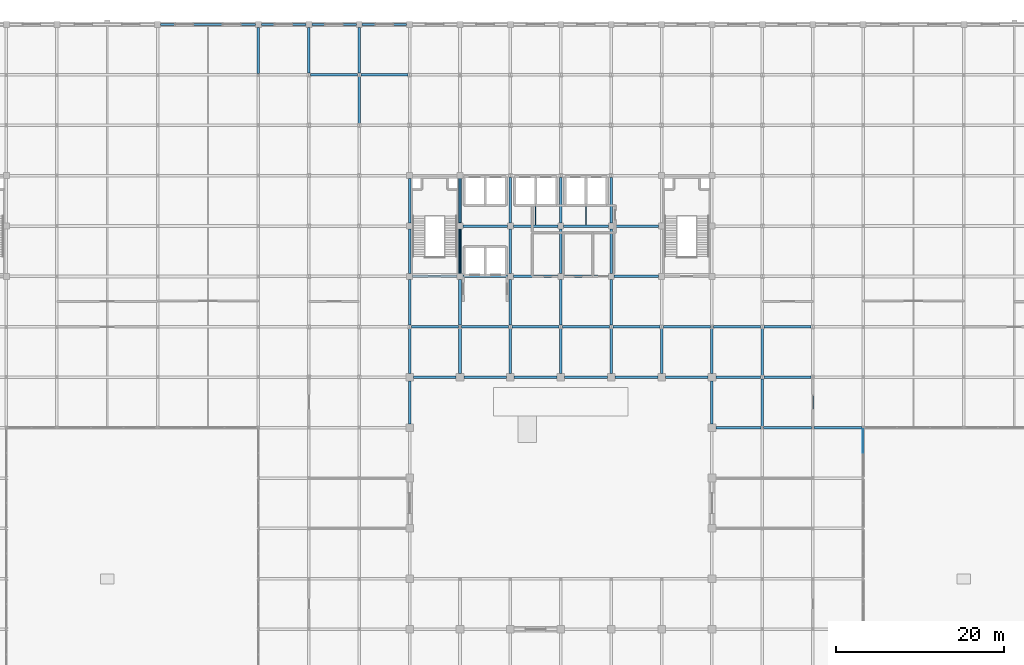
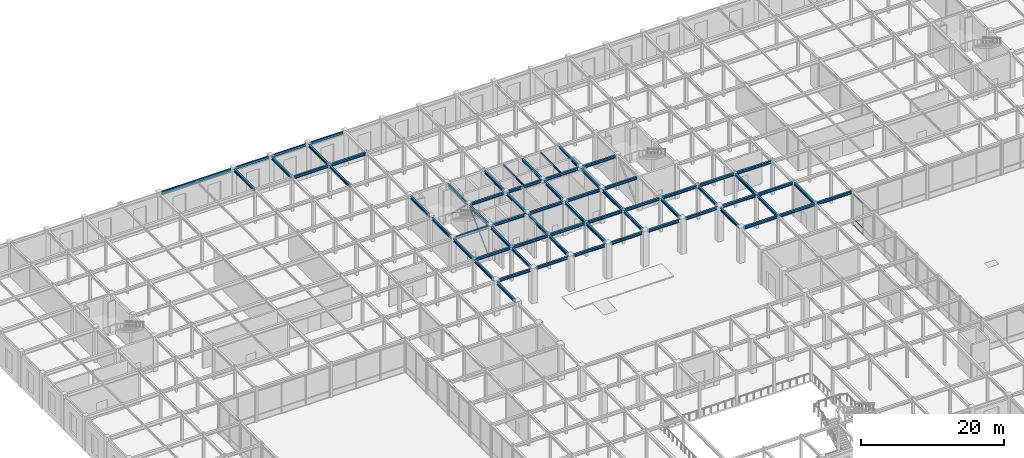
# One storey, part 76 of 108: 67 beams, 5 members, 1 element without a shape of its own.
"""IFC4 building model written with IfcOpenShell, lengths in metres."""

from ifc_helpers import new_model, si_unit, direction, frame, origin, origin_2d, place, context, subcontext, project, spatial, hollow_rectangle, hollow_circle, i_section, extrude, material, layer, layer_set, material_profile, profile_set, type_object, element, aggregate, save


model = new_model("IFC4")

# Units and contexts
model_context = context("Model", 3, precision=1e-05, world=origin(), true_north=direction((0.0, 1.0)))
body_context = subcontext(model_context, "Body", "Model", "MODEL_VIEW")
ifc_project = project(units=[si_unit("LENGTHUNIT", "METRE"), si_unit("AREAUNIT", "SQUARE_METRE"), si_unit("VOLUMEUNIT", "CUBIC_METRE"), si_unit("PLANEANGLEUNIT", "RADIAN"), si_unit("MASSUNIT", "GRAM", prefix="KILO")], contexts=[model_context])

# Site, building, storey
site_placement = place(None, origin())
site = spatial("IfcSite", under=ifc_project, at=site_placement, CompositionType="ELEMENT")
building_placement = place(site_placement, origin())
building = spatial("IfcBuilding", under=site, at=building_placement, Name="Zlatovratsky Civic Hall", CompositionType="ELEMENT")
storey_placement = place(building_placement, frame((0.0, 0.0, 6.0)))
storey = spatial("IfcBuildingStorey", under=building, at=storey_placement, Name="L02", CompositionType="ELEMENT", Elevation=6.0)

# Beams
ifc_material_1 = material(Name="Steel S355", Category="steel")
ifc_material_profile_1 = material_profile(ifc_material_1, i_section(OverallWidth=0.198974609375, OverallDepth=0.491943359375, WebThickness=0.0087890625, FlangeThickness=0.011962890625, FilletRadius=0.01611328125, at=origin_2d()), Name="50B1")
ifc_profile_set_1 = profile_set([ifc_material_profile_1], Name="Steel S355")
beam_type_1 = type_object("IfcBeamType", Name="Beam_Spandrel_50B1", PredefinedType="SPANDREL", material=ifc_profile_set_1)
for number, where, z_axis, x_axis, name in (
    (1, (48.35009765625, 114.0, 5.513916015625), (1.0, 0.0, 0.0), (0.0, 1.0, 0.0), "BM-2040"),
    (2, (54.35009765625, 114.0, 5.513916015625), (1.0, 0.0, 0.0), (0.0, 1.0, 0.0), "BM-2041"),
    (3, (60.35009765625, 114.0, 5.513916015625), (1.0, 0.0, 0.0), (0.0, 1.0, 0.0), "BM-2042"),
):
    element("IfcBeam", number, at=place(storey_placement, frame(where, z_axis=z_axis, x_axis=x_axis)), inside=storey, type_object=beam_type_1, Name=name, PredefinedType="SPANDREL", context=body_context, shape_type="SweptSolid", body=[
        extrude(i_section(OverallWidth=0.198974609375, OverallDepth=0.491943359375, WebThickness=0.0087890625, FlangeThickness=0.011962890625, FilletRadius=0.01611328125, at=origin_2d()), origin(), (0.0, 0.0, 1.0), 5.2998046875),
    ])
ifc_material_profile_2 = material_profile(ifc_material_1, i_section(OverallWidth=0.198974609375, OverallDepth=0.593017578125, WebThickness=0.010498046875, FlangeThickness=0.014892578125, FilletRadius=0.01806640625, at=origin_2d()), Name="60B1")
ifc_profile_set_2 = profile_set([ifc_material_profile_2], Name="Steel S355")
beam_type_2 = type_object("IfcBeamType", Name="Beam_Spandrel_60B1", PredefinedType="SPANDREL", material=ifc_profile_set_2)
beam_1_placement = place(storey_placement, frame((36.35009765625, 114.0, 5.46337890625), z_axis=(1.0, 0.0, 0.0), x_axis=(0.0, 1.0, 0.0)))
element("IfcBeam", 4, at=beam_1_placement, inside=storey, type_object=beam_type_2, Name="BM-2039", PredefinedType="SPANDREL", context=body_context, shape_type="SweptSolid", body=[
    extrude(i_section(OverallWidth=0.198974609375, OverallDepth=0.593017578125, WebThickness=0.010498046875, FlangeThickness=0.014892578125, FilletRadius=0.01806640625, at=origin_2d()), origin(), (0.0, 0.0, 1.0), 11.2998046875),
])
ifc_material_profile_3 = material_profile(ifc_material_1, i_section(OverallWidth=0.300048828125, OverallDepth=0.43994140625, WebThickness=0.010986328125, FlangeThickness=0.01806640625, FilletRadius=0.02197265625, at=origin_2d()), Name="45Sh1")
ifc_profile_set_3 = profile_set([ifc_material_profile_3], Name="Steel S355")
beam_type_3 = type_object("IfcBeamType", Name="Beam_TowerLow_45Sh1", PredefinedType="BEAM", material=ifc_profile_set_3)
beam_2_placement = place(storey_placement, frame((102.449951171875, 66.0, 5.5400390625), z_axis=(1.0, 0.0, 0.0), x_axis=(0.0, 1.0, 0.0)))
element("IfcBeam", 5, at=beam_2_placement, inside=storey, type_object=beam_type_3, Name="BM-1877", PredefinedType="BEAM", context=body_context, shape_type="SweptSolid", body=[
    extrude(i_section(OverallWidth=0.300048828125, OverallDepth=0.43994140625, WebThickness=0.010986328125, FlangeThickness=0.01806640625, FilletRadius=0.02197265625, at=origin_2d()), origin(), (0.0, 0.0, 1.0), 5.400146484375),
])
for number, where, z_axis, x_axis, name in (
    (6, (108.14990234375, 66.0, 5.5400390625), (1.0, 0.0, 0.0), (0.0, 1.0, 0.0), "BM-1878"),
    (7, (114.14990234375, 66.0, 5.5400390625), (1.0, 0.0, 0.0), (0.0, 1.0, 0.0), "BM-1879"),
):
    element("IfcBeam", number, at=place(storey_placement, frame(where, z_axis=z_axis, x_axis=x_axis)), inside=storey, type_object=beam_type_3, Name=name, PredefinedType="BEAM", context=body_context, shape_type="SweptSolid", body=[
        extrude(i_section(OverallWidth=0.300048828125, OverallDepth=0.43994140625, WebThickness=0.010986328125, FlangeThickness=0.01806640625, FilletRadius=0.02197265625, at=origin_2d()), origin(), (0.0, 0.0, 1.0), 5.7001953125),
    ])
for number, where, z_axis, x_axis, name in (
    (8, (66.449951171875, 72.0, 5.5400390625), (1.0, 0.0, 0.0), (0.0, 1.0, 0.0), "BM-1893"),
    (9, (72.449951171875, 72.0, 5.5400390625), (1.0, 0.0, 0.0), (0.0, 1.0, 0.0), "BM-1894"),
    (10, (78.449951171875, 72.0, 5.5400390625), (1.0, 0.0, 0.0), (0.0, 1.0, 0.0), "BM-1895"),
    (11, (84.449951171875, 72.0, 5.5400390625), (1.0, 0.0, 0.0), (0.0, 1.0, 0.0), "BM-1896"),
    (12, (90.449951171875, 72.0, 5.5400390625), (1.0, 0.0, 0.0), (0.0, 1.0, 0.0), "BM-1897"),
    (13, (96.449951171875, 72.0, 5.5400390625), (1.0, 0.0, 0.0), (0.0, 1.0, 0.0), "BM-1898"),
):
    element("IfcBeam", number, at=place(storey_placement, frame(where, z_axis=z_axis, x_axis=x_axis)), inside=storey, type_object=beam_type_3, Name=name, PredefinedType="BEAM", context=body_context, shape_type="SweptSolid", body=[
        extrude(i_section(OverallWidth=0.300048828125, OverallDepth=0.43994140625, WebThickness=0.010986328125, FlangeThickness=0.01806640625, FilletRadius=0.02197265625, at=origin_2d()), origin(), (0.0, 0.0, 1.0), 5.10009765625),
    ])
beam_3_placement = place(storey_placement, frame((102.449951171875, 72.0, 5.5400390625), z_axis=(1.0, 0.0, 0.0), x_axis=(0.0, 1.0, 0.0)))
element("IfcBeam", 14, at=beam_3_placement, inside=storey, type_object=beam_type_3, Name="BM-1899", PredefinedType="BEAM", context=body_context, shape_type="SweptSolid", body=[
    extrude(i_section(OverallWidth=0.300048828125, OverallDepth=0.43994140625, WebThickness=0.010986328125, FlangeThickness=0.01806640625, FilletRadius=0.02197265625, at=origin_2d()), origin(), (0.0, 0.0, 1.0), 5.34765625),
])
for number, where, z_axis, x_axis, name in (
    (15, (108.202392578125, 72.0, 5.5400390625), (1.0, 0.0, 0.0), (0.0, 1.0, 0.0), "BM-1900"),
    (16, (66.202392578125, 78.0, 5.5400390625), (1.0, 0.0, 0.0), (0.0, 1.0, 0.0), "BM-1915"),
    (17, (72.202392578125, 78.0, 5.5400390625), (1.0, 0.0, 0.0), (0.0, 1.0, 0.0), "BM-1916"),
    (18, (78.202392578125, 78.0, 5.5400390625), (1.0, 0.0, 0.0), (0.0, 1.0, 0.0), "BM-1917"),
    (19, (84.202392578125, 78.0, 5.5400390625), (1.0, 0.0, 0.0), (0.0, 1.0, 0.0), "BM-1918"),
    (20, (90.202392578125, 78.0, 5.5400390625), (1.0, 0.0, 0.0), (0.0, 1.0, 0.0), "BM-1919"),
    (21, (96.202392578125, 78.0, 5.5400390625), (1.0, 0.0, 0.0), (0.0, 1.0, 0.0), "BM-1920"),
    (22, (102.202392578125, 78.0, 5.5400390625), (1.0, 0.0, 0.0), (0.0, 1.0, 0.0), "BM-1921"),
    (23, (108.202392578125, 78.0, 5.5400390625), (1.0, 0.0, 0.0), (0.0, 1.0, 0.0), "BM-1922"),
):
    element("IfcBeam", number, at=place(storey_placement, frame(where, z_axis=z_axis, x_axis=x_axis)), inside=storey, type_object=beam_type_3, Name=name, PredefinedType="BEAM", context=body_context, shape_type="SweptSolid", body=[
        extrude(i_section(OverallWidth=0.300048828125, OverallDepth=0.43994140625, WebThickness=0.010986328125, FlangeThickness=0.01806640625, FilletRadius=0.02197265625, at=origin_2d()), origin(), (0.0, 0.0, 1.0), 5.59521484375),
    ])
for number, where, z_axis, x_axis, name in (
    (24, (66.35009765625, 84.0, 5.5400390625), (1.0, 0.0, 0.0), (0.0, 1.0, 0.0), "BM-1937"),
    (25, (72.35009765625, 84.0, 5.5400390625), (1.0, 0.0, 0.0), (0.0, 1.0, 0.0), "BM-1938"),
    (26, (78.35009765625, 84.0, 5.5400390625), (1.0, 0.0, 0.0), (0.0, 1.0, 0.0), "BM-1939"),
    (27, (84.35009765625, 84.0, 5.5400390625), (1.0, 0.0, 0.0), (0.0, 1.0, 0.0), "BM-1940"),
    (28, (90.35009765625, 84.0, 5.5400390625), (1.0, 0.0, 0.0), (0.0, 1.0, 0.0), "BM-1941"),
    (29, (72.35009765625, 90.0, 5.5400390625), (1.0, 0.0, 0.0), (0.0, 1.0, 0.0), "BM-1958"),
    (30, (78.35009765625, 90.0, 5.5400390625), (1.0, 0.0, 0.0), (0.0, 1.0, 0.0), "BM-1959"),
    (31, (84.35009765625, 90.0, 5.5400390625), (1.0, 0.0, 0.0), (0.0, 1.0, 0.0), "BM-1960"),
    (32, (90.35009765625, 90.0, 5.5400390625), (1.0, 0.0, 0.0), (0.0, 1.0, 0.0), "BM-1961"),
):
    element("IfcBeam", number, at=place(storey_placement, frame(where, z_axis=z_axis, x_axis=x_axis)), inside=storey, type_object=beam_type_3, Name=name, PredefinedType="BEAM", context=body_context, shape_type="SweptSolid", body=[
        extrude(i_section(OverallWidth=0.300048828125, OverallDepth=0.43994140625, WebThickness=0.010986328125, FlangeThickness=0.01806640625, FilletRadius=0.02197265625, at=origin_2d()), origin(), (0.0, 0.0, 1.0), 5.2998046875),
    ])
for number, where, z_axis, x_axis, name in (
    (33, (54.202392578125, 108.0, 5.5400390625), (1.0, 0.0, 0.0), (0.0, 1.0, 0.0), "BM-2019"),
    (34, (60.202392578125, 108.0, 5.5400390625), (1.0, 0.0, 0.0), (0.0, 1.0, 0.0), "BM-2020"),
):
    element("IfcBeam", number, at=place(storey_placement, frame(where, z_axis=z_axis, x_axis=x_axis)), inside=storey, type_object=beam_type_3, Name=name, PredefinedType="BEAM", context=body_context, shape_type="SweptSolid", body=[
        extrude(i_section(OverallWidth=0.300048828125, OverallDepth=0.43994140625, WebThickness=0.010986328125, FlangeThickness=0.01806640625, FilletRadius=0.02197265625, at=origin_2d()), origin(), (0.0, 0.0, 1.0), 5.59521484375),
    ])
beam_4_placement = place(storey_placement, frame((48.0, 108.14990234375, 5.5400390625), z_axis=(0.0, 1.0, 0.0), x_axis=(-1.0, 0.0, 0.0)))
element("IfcBeam", 35, at=beam_4_placement, inside=storey, type_object=beam_type_3, Name="BM-2146", PredefinedType="BEAM", context=body_context, shape_type="SweptSolid", body=[
    extrude(i_section(OverallWidth=0.300048828125, OverallDepth=0.43994140625, WebThickness=0.010986328125, FlangeThickness=0.01806640625, FilletRadius=0.02197265625, at=origin_2d()), origin(), (0.0, 0.0, 1.0), 5.5),
])
beam_5_placement = place(storey_placement, frame((54.0, 108.208984375, 5.5400390625), z_axis=(0.0, 1.0, 0.0), x_axis=(-1.0, 0.0, 0.0)))
element("IfcBeam", 36, at=beam_5_placement, inside=storey, type_object=beam_type_3, Name="BM-2163", PredefinedType="BEAM", context=body_context, shape_type="SweptSolid", body=[
    extrude(i_section(OverallWidth=0.300048828125, OverallDepth=0.43994140625, WebThickness=0.010986328125, FlangeThickness=0.01806640625, FilletRadius=0.02197265625, at=origin_2d()), origin(), (0.0, 0.0, 1.0), 5.44091796875),
])
beam_6_placement = place(storey_placement, frame((60.0, 102.208984375, 5.5400390625), z_axis=(0.0, 1.0, 0.0), x_axis=(-1.0, 0.0, 0.0)))
element("IfcBeam", 37, at=beam_6_placement, inside=storey, type_object=beam_type_3, Name="BM-2178", PredefinedType="BEAM", context=body_context, shape_type="SweptSolid", body=[
    extrude(i_section(OverallWidth=0.300048828125, OverallDepth=0.43994140625, WebThickness=0.010986328125, FlangeThickness=0.01806640625, FilletRadius=0.02197265625, at=origin_2d()), origin(), (0.0, 0.0, 1.0), 5.58203125),
])
beam_7_placement = place(storey_placement, frame((60.0, 108.208984375, 5.5400390625), z_axis=(0.0, 1.0, 0.0), x_axis=(-1.0, 0.0, 0.0)))
element("IfcBeam", 38, at=beam_7_placement, inside=storey, type_object=beam_type_3, Name="BM-2179", PredefinedType="BEAM", context=body_context, shape_type="SweptSolid", body=[
    extrude(i_section(OverallWidth=0.300048828125, OverallDepth=0.43994140625, WebThickness=0.010986328125, FlangeThickness=0.01806640625, FilletRadius=0.02197265625, at=origin_2d()), origin(), (0.0, 0.0, 1.0), 5.44091796875),
])
beam_8_placement = place(storey_placement, frame((66.0, 66.449951171875, 5.5400390625), z_axis=(0.0, 1.0, 0.0), x_axis=(-1.0, 0.0, 0.0)))
element("IfcBeam", 39, at=beam_8_placement, inside=storey, type_object=beam_type_3, Name="BM-2188", PredefinedType="BEAM", context=body_context, shape_type="SweptSolid", body=[
    extrude(i_section(OverallWidth=0.300048828125, OverallDepth=0.43994140625, WebThickness=0.010986328125, FlangeThickness=0.01806640625, FilletRadius=0.02197265625, at=origin_2d()), origin(), (0.0, 0.0, 1.0), 5.10009765625),
])
beam_9_placement = place(storey_placement, frame((66.0, 72.449951171875, 5.5400390625), z_axis=(0.0, 1.0, 0.0), x_axis=(-1.0, 0.0, 0.0)))
element("IfcBeam", 40, at=beam_9_placement, inside=storey, type_object=beam_type_3, Name="BM-2189", PredefinedType="BEAM", context=body_context, shape_type="SweptSolid", body=[
    extrude(i_section(OverallWidth=0.300048828125, OverallDepth=0.43994140625, WebThickness=0.010986328125, FlangeThickness=0.01806640625, FilletRadius=0.02197265625, at=origin_2d()), origin(), (0.0, 0.0, 1.0), 5.341064453125),
])
beam_10_placement = place(storey_placement, frame((66.0, 78.208984375, 5.5400390625), z_axis=(0.0, 1.0, 0.0), x_axis=(-1.0, 0.0, 0.0)))
element("IfcBeam", 41, at=beam_10_placement, inside=storey, type_object=beam_type_3, Name="BM-2190", PredefinedType="BEAM", context=body_context, shape_type="SweptSolid", body=[
    extrude(i_section(OverallWidth=0.300048828125, OverallDepth=0.43994140625, WebThickness=0.010986328125, FlangeThickness=0.01806640625, FilletRadius=0.02197265625, at=origin_2d()), origin(), (0.0, 0.0, 1.0), 5.44091796875),
])
for number, where, z_axis, x_axis, name in (
    (42, (66.0, 84.35009765625, 5.5400390625), (0.0, 1.0, 0.0), (-1.0, 0.0, 0.0), "BM-2191"),
    (43, (66.0, 90.35009765625, 5.5400390625), (0.0, 1.0, 0.0), (-1.0, 0.0, 0.0), "BM-2192"),
):
    element("IfcBeam", number, at=place(storey_placement, frame(where, z_axis=z_axis, x_axis=x_axis)), inside=storey, type_object=beam_type_3, Name=name, PredefinedType="BEAM", context=body_context, shape_type="SweptSolid", body=[
        extrude(i_section(OverallWidth=0.300048828125, OverallDepth=0.43994140625, WebThickness=0.010986328125, FlangeThickness=0.01806640625, FilletRadius=0.02197265625, at=origin_2d()), origin(), (0.0, 0.0, 1.0), 5.2998046875),
    ])
beam_11_placement = place(storey_placement, frame((72.0, 72.449951171875, 5.5400390625), z_axis=(0.0, 1.0, 0.0), x_axis=(-1.0, 0.0, 0.0)))
element("IfcBeam", 44, at=beam_11_placement, inside=storey, type_object=beam_type_3, Name="BM-2201", PredefinedType="BEAM", context=body_context, shape_type="SweptSolid", body=[
    extrude(i_section(OverallWidth=0.300048828125, OverallDepth=0.43994140625, WebThickness=0.010986328125, FlangeThickness=0.01806640625, FilletRadius=0.02197265625, at=origin_2d()), origin(), (0.0, 0.0, 1.0), 5.341064453125),
])
beam_12_placement = place(storey_placement, frame((72.0, 78.208984375, 5.5400390625), z_axis=(0.0, 1.0, 0.0), x_axis=(-1.0, 0.0, 0.0)))
element("IfcBeam", 45, at=beam_12_placement, inside=storey, type_object=beam_type_3, Name="BM-2202", PredefinedType="BEAM", context=body_context, shape_type="SweptSolid", body=[
    extrude(i_section(OverallWidth=0.300048828125, OverallDepth=0.43994140625, WebThickness=0.010986328125, FlangeThickness=0.01806640625, FilletRadius=0.02197265625, at=origin_2d()), origin(), (0.0, 0.0, 1.0), 5.44091796875),
])
for number, where, z_axis, x_axis, name in (
    (46, (72.0, 84.35009765625, 5.5400390625), (0.0, 1.0, 0.0), (-1.0, 0.0, 0.0), "BM-2203"),
    (47, (72.0, 90.35009765625, 5.5400390625), (0.0, 1.0, 0.0), (-1.0, 0.0, 0.0), "BM-2204"),
):
    element("IfcBeam", number, at=place(storey_placement, frame(where, z_axis=z_axis, x_axis=x_axis)), inside=storey, type_object=beam_type_3, Name=name, PredefinedType="BEAM", context=body_context, shape_type="SweptSolid", body=[
        extrude(i_section(OverallWidth=0.300048828125, OverallDepth=0.43994140625, WebThickness=0.010986328125, FlangeThickness=0.01806640625, FilletRadius=0.02197265625, at=origin_2d()), origin(), (0.0, 0.0, 1.0), 5.2998046875),
    ])
beam_13_placement = place(storey_placement, frame((78.0, 72.449951171875, 5.5400390625), z_axis=(0.0, 1.0, 0.0), x_axis=(-1.0, 0.0, 0.0)))
element("IfcBeam", 48, at=beam_13_placement, inside=storey, type_object=beam_type_3, Name="BM-2211", PredefinedType="BEAM", context=body_context, shape_type="SweptSolid", body=[
    extrude(i_section(OverallWidth=0.300048828125, OverallDepth=0.43994140625, WebThickness=0.010986328125, FlangeThickness=0.01806640625, FilletRadius=0.02197265625, at=origin_2d()), origin(), (0.0, 0.0, 1.0), 5.341064453125),
])
beam_14_placement = place(storey_placement, frame((78.0, 78.208984375, 5.5400390625), z_axis=(0.0, 1.0, 0.0), x_axis=(-1.0, 0.0, 0.0)))
element("IfcBeam", 49, at=beam_14_placement, inside=storey, type_object=beam_type_3, Name="BM-2212", PredefinedType="BEAM", context=body_context, shape_type="SweptSolid", body=[
    extrude(i_section(OverallWidth=0.300048828125, OverallDepth=0.43994140625, WebThickness=0.010986328125, FlangeThickness=0.01806640625, FilletRadius=0.02197265625, at=origin_2d()), origin(), (0.0, 0.0, 1.0), 5.44091796875),
])
beam_15_placement = place(storey_placement, frame((78.0, 84.35009765625, 5.5400390625), z_axis=(0.0, 1.0, 0.0), x_axis=(-1.0, 0.0, 0.0)))
element("IfcBeam", 50, at=beam_15_placement, inside=storey, type_object=beam_type_3, Name="BM-2213", PredefinedType="BEAM", context=body_context, shape_type="SweptSolid", body=[
    extrude(i_section(OverallWidth=0.300048828125, OverallDepth=0.43994140625, WebThickness=0.010986328125, FlangeThickness=0.01806640625, FilletRadius=0.02197265625, at=origin_2d()), origin(), (0.0, 0.0, 1.0), 5.2998046875),
])
beam_16_placement = place(storey_placement, frame((78.0, 90.35009765625, 5.5400390625), z_axis=(0.0, 1.0, 0.0), x_axis=(-1.0, 0.0, 0.0)))
element("IfcBeam", 51, at=beam_16_placement, inside=storey, type_object=beam_type_3, Name="BM-2214", PredefinedType="BEAM", context=body_context, shape_type="SweptSolid", body=[
    extrude(i_section(OverallWidth=0.300048828125, OverallDepth=0.43994140625, WebThickness=0.010986328125, FlangeThickness=0.01806640625, FilletRadius=0.02197265625, at=origin_2d()), origin(), (0.0, 0.0, 1.0), 5.44091796875),
])
beam_17_placement = place(storey_placement, frame((84.0, 72.449951171875, 5.5400390625), z_axis=(0.0, 1.0, 0.0), x_axis=(-1.0, 0.0, 0.0)))
element("IfcBeam", 52, at=beam_17_placement, inside=storey, type_object=beam_type_3, Name="BM-2221", PredefinedType="BEAM", context=body_context, shape_type="SweptSolid", body=[
    extrude(i_section(OverallWidth=0.300048828125, OverallDepth=0.43994140625, WebThickness=0.010986328125, FlangeThickness=0.01806640625, FilletRadius=0.02197265625, at=origin_2d()), origin(), (0.0, 0.0, 1.0), 5.341064453125),
])
beam_18_placement = place(storey_placement, frame((84.0, 78.208984375, 5.5400390625), z_axis=(0.0, 1.0, 0.0), x_axis=(-1.0, 0.0, 0.0)))
element("IfcBeam", 53, at=beam_18_placement, inside=storey, type_object=beam_type_3, Name="BM-2222", PredefinedType="BEAM", context=body_context, shape_type="SweptSolid", body=[
    extrude(i_section(OverallWidth=0.300048828125, OverallDepth=0.43994140625, WebThickness=0.010986328125, FlangeThickness=0.01806640625, FilletRadius=0.02197265625, at=origin_2d()), origin(), (0.0, 0.0, 1.0), 5.44091796875),
])
beam_19_placement = place(storey_placement, frame((84.0, 84.35009765625, 5.5400390625), z_axis=(0.0, 1.0, 0.0), x_axis=(-1.0, 0.0, 0.0)))
element("IfcBeam", 54, at=beam_19_placement, inside=storey, type_object=beam_type_3, Name="BM-2223", PredefinedType="BEAM", context=body_context, shape_type="SweptSolid", body=[
    extrude(i_section(OverallWidth=0.300048828125, OverallDepth=0.43994140625, WebThickness=0.010986328125, FlangeThickness=0.01806640625, FilletRadius=0.02197265625, at=origin_2d()), origin(), (0.0, 0.0, 1.0), 5.2998046875),
])
beam_20_placement = place(storey_placement, frame((84.0, 90.35009765625, 5.5400390625), z_axis=(0.0, 1.0, 0.0), x_axis=(-1.0, 0.0, 0.0)))
element("IfcBeam", 55, at=beam_20_placement, inside=storey, type_object=beam_type_3, Name="BM-2224", PredefinedType="BEAM", context=body_context, shape_type="SweptSolid", body=[
    extrude(i_section(OverallWidth=0.300048828125, OverallDepth=0.43994140625, WebThickness=0.010986328125, FlangeThickness=0.01806640625, FilletRadius=0.02197265625, at=origin_2d()), origin(), (0.0, 0.0, 1.0), 5.44091796875),
])
beam_21_placement = place(storey_placement, frame((90.0, 72.449951171875, 5.5400390625), z_axis=(0.0, 1.0, 0.0), x_axis=(-1.0, 0.0, 0.0)))
element("IfcBeam", 56, at=beam_21_placement, inside=storey, type_object=beam_type_3, Name="BM-2231", PredefinedType="BEAM", context=body_context, shape_type="SweptSolid", body=[
    extrude(i_section(OverallWidth=0.300048828125, OverallDepth=0.43994140625, WebThickness=0.010986328125, FlangeThickness=0.01806640625, FilletRadius=0.02197265625, at=origin_2d()), origin(), (0.0, 0.0, 1.0), 5.341064453125),
])
beam_22_placement = place(storey_placement, frame((90.0, 78.208984375, 5.5400390625), z_axis=(0.0, 1.0, 0.0), x_axis=(-1.0, 0.0, 0.0)))
element("IfcBeam", 57, at=beam_22_placement, inside=storey, type_object=beam_type_3, Name="BM-2232", PredefinedType="BEAM", context=body_context, shape_type="SweptSolid", body=[
    extrude(i_section(OverallWidth=0.300048828125, OverallDepth=0.43994140625, WebThickness=0.010986328125, FlangeThickness=0.01806640625, FilletRadius=0.02197265625, at=origin_2d()), origin(), (0.0, 0.0, 1.0), 5.44091796875),
])
beam_23_placement = place(storey_placement, frame((90.0, 84.35009765625, 5.5400390625), z_axis=(0.0, 1.0, 0.0), x_axis=(-1.0, 0.0, 0.0)))
element("IfcBeam", 58, at=beam_23_placement, inside=storey, type_object=beam_type_3, Name="BM-2233", PredefinedType="BEAM", context=body_context, shape_type="SweptSolid", body=[
    extrude(i_section(OverallWidth=0.300048828125, OverallDepth=0.43994140625, WebThickness=0.010986328125, FlangeThickness=0.01806640625, FilletRadius=0.02197265625, at=origin_2d()), origin(), (0.0, 0.0, 1.0), 5.2998046875),
])
beam_24_placement = place(storey_placement, frame((90.0, 90.35009765625, 5.5400390625), z_axis=(0.0, 1.0, 0.0), x_axis=(-1.0, 0.0, 0.0)))
element("IfcBeam", 59, at=beam_24_placement, inside=storey, type_object=beam_type_3, Name="BM-2234", PredefinedType="BEAM", context=body_context, shape_type="SweptSolid", body=[
    extrude(i_section(OverallWidth=0.300048828125, OverallDepth=0.43994140625, WebThickness=0.010986328125, FlangeThickness=0.01806640625, FilletRadius=0.02197265625, at=origin_2d()), origin(), (0.0, 0.0, 1.0), 5.44091796875),
])
beam_25_placement = place(storey_placement, frame((96.0, 72.449951171875, 5.5400390625), z_axis=(0.0, 1.0, 0.0), x_axis=(-1.0, 0.0, 0.0)))
element("IfcBeam", 60, at=beam_25_placement, inside=storey, type_object=beam_type_3, Name="BM-2243", PredefinedType="BEAM", context=body_context, shape_type="SweptSolid", body=[
    extrude(i_section(OverallWidth=0.300048828125, OverallDepth=0.43994140625, WebThickness=0.010986328125, FlangeThickness=0.01806640625, FilletRadius=0.02197265625, at=origin_2d()), origin(), (0.0, 0.0, 1.0), 5.341064453125),
])
beam_26_placement = place(storey_placement, frame((102.0, 66.449951171875, 5.5400390625), z_axis=(0.0, 1.0, 0.0), x_axis=(-1.0, 0.0, 0.0)))
element("IfcBeam", 61, at=beam_26_placement, inside=storey, type_object=beam_type_3, Name="BM-2258", PredefinedType="BEAM", context=body_context, shape_type="SweptSolid", body=[
    extrude(i_section(OverallWidth=0.300048828125, OverallDepth=0.43994140625, WebThickness=0.010986328125, FlangeThickness=0.01806640625, FilletRadius=0.02197265625, at=origin_2d()), origin(), (0.0, 0.0, 1.0), 5.10009765625),
])
beam_27_placement = place(storey_placement, frame((102.0, 72.449951171875, 5.5400390625), z_axis=(0.0, 1.0, 0.0), x_axis=(-1.0, 0.0, 0.0)))
element("IfcBeam", 62, at=beam_27_placement, inside=storey, type_object=beam_type_3, Name="BM-2259", PredefinedType="BEAM", context=body_context, shape_type="SweptSolid", body=[
    extrude(i_section(OverallWidth=0.300048828125, OverallDepth=0.43994140625, WebThickness=0.010986328125, FlangeThickness=0.01806640625, FilletRadius=0.02197265625, at=origin_2d()), origin(), (0.0, 0.0, 1.0), 5.341064453125),
])
beam_28_placement = place(storey_placement, frame((108.0, 66.14990234375, 5.5400390625), z_axis=(0.0, 1.0, 0.0), x_axis=(-1.0, 0.0, 0.0)))
element("IfcBeam", 63, at=beam_28_placement, inside=storey, type_object=beam_type_3, Name="BM-2274", PredefinedType="BEAM", context=body_context, shape_type="SweptSolid", body=[
    extrude(i_section(OverallWidth=0.300048828125, OverallDepth=0.43994140625, WebThickness=0.010986328125, FlangeThickness=0.01806640625, FilletRadius=0.02197265625, at=origin_2d()), origin(), (0.0, 0.0, 1.0), 5.64111328125),
])
beam_29_placement = place(storey_placement, frame((108.0, 72.208984375, 5.5400390625), z_axis=(0.0, 1.0, 0.0), x_axis=(-1.0, 0.0, 0.0)))
element("IfcBeam", 64, at=beam_29_placement, inside=storey, type_object=beam_type_3, Name="BM-2275", PredefinedType="BEAM", context=body_context, shape_type="SweptSolid", body=[
    extrude(i_section(OverallWidth=0.300048828125, OverallDepth=0.43994140625, WebThickness=0.010986328125, FlangeThickness=0.01806640625, FilletRadius=0.02197265625, at=origin_2d()), origin(), (0.0, 0.0, 1.0), 5.58203125),
])
beam_30_placement = place(storey_placement, frame((114.0, 66.14990234375, 5.5400390625), z_axis=(0.0, 1.0, 0.0), x_axis=(-1.0, 0.0, 0.0)))
element("IfcBeam", 65, at=beam_30_placement, inside=storey, type_object=beam_type_3, Name="BM-2291", PredefinedType="BEAM", context=body_context, shape_type="SweptSolid", body=[
    extrude(i_section(OverallWidth=0.300048828125, OverallDepth=0.43994140625, WebThickness=0.010986328125, FlangeThickness=0.01806640625, FilletRadius=0.02197265625, at=origin_2d()), origin(), (0.0, 0.0, 1.0), 5.64111328125),
])

# Members
ifc_material_profile_4 = material_profile(ifc_material_1, hollow_circle(Radius=0.109619140625, WallThickness=0.008056640625, at=origin_2d()), Name="CHS 219x8")
ifc_profile_set_4 = profile_set([ifc_material_profile_4], Name="Steel S355")
member_type_1 = type_object("IfcMemberType", Name="Brace_AtriumStrut_CHS219", PredefinedType="BRACE", material=ifc_profile_set_4)
member_1_placement = place(storey_placement, frame((72.0, 84.35009765625, 0.25), z_axis=(0.0, 0.713799145226, 0.700350469604), x_axis=(-1.0, 0.0, 0.0)))
element("IfcMember", 66, at=member_1_placement, inside=storey, type_object=member_type_1, Name="MB-0100", PredefinedType="BRACE", context=body_context, shape_type="SweptSolid", body=[
    extrude(hollow_circle(Radius=0.109619140625, WallThickness=0.008056640625, at=origin_2d()), origin(), (0.0, 0.0, 1.0), 7.4248046875),
])
ifc_material_profile_5 = material_profile(ifc_material_1, hollow_rectangle(XDim=0.219970703125, YDim=0.219970703125, WallThickness=0.010009765625, at=origin_2d()), Name="SHS 220x220x10")
ifc_profile_set_5 = profile_set([ifc_material_profile_5], Name="Steel S355")
member_type_2 = type_object("IfcMemberType", Name="Brace_Podium_SHS220", PredefinedType="BRACE", material=ifc_profile_set_5)
member_2_placement = place(storey_placement, frame((72.0, 90.35009765625, 5.449951171875), z_axis=(0.0, 0.713799145226, -0.700350469604), x_axis=(-1.0, 0.0, 0.0)))
element("IfcMember", 67, at=member_2_placement, inside=storey, type_object=member_type_2, Name="MB-0101", PredefinedType="BRACE", context=body_context, shape_type="SweptSolid", body=[
    extrude(hollow_rectangle(XDim=0.219970703125, YDim=0.219970703125, WallThickness=0.010009765625, at=origin_2d()), origin(), (0.0, 0.0, 1.0), 7.4248046875),
])

# Curtain wall, members
ifc_material_2 = material(Name="Anodised bronze aluminium", Category="aluminium")
ifc_layer = layer(ifc_material_2, 0.159912109375)
ifc_layer_set = layer_set([ifc_layer], Name="Anodised bronze aluminium")
curtain_wall_type = type_object("IfcCurtainWallType", Name="CurtainWall_Bronze_5700x5310_06", PredefinedType="NOTDEFINED", material=ifc_layer_set)
curtain_wall_placement = place(storey_placement, origin())
curtain_wall = element("IfcCurtainWall", 68, at=curtain_wall_placement, inside=storey, type_object=curtain_wall_type, Name="CW-038", PredefinedType="NOTDEFINED")
ifc_material_profile_6 = material_profile(ifc_material_2, hollow_rectangle(XDim=0.06005859375, YDim=0.1201171875, WallThickness=0.00390625, at=origin_2d()), Name="ALU 60x120x4")
ifc_profile_set_6 = profile_set([ifc_material_profile_6], Name="Anodised bronze aluminium")
member_type_3 = type_object("IfcMemberType", Name="CW_Transom_60x120", PredefinedType="USERDEFINED", material=ifc_profile_set_6)
member_3_placement = place(storey_placement, frame((120.0, 63.030029296875, 0.030029296875), z_axis=(0.0, 1.0, 0.0), x_axis=(-1.0, 0.0, 0.0)))
member_3 = element("IfcMember", 69, at=member_3_placement, type_object=member_type_3, Name="CW-06 transom 2.1", ObjectType="TRANSOM", PredefinedType="USERDEFINED", context=body_context, shape_type="SweptSolid", body=[
    extrude(hollow_rectangle(XDim=0.06005859375, YDim=0.1201171875, WallThickness=0.00390625, at=origin_2d()), origin(), (0.0, 0.0, 1.0), 2.760009765625),
])
member_4_placement = place(storey_placement, frame((120.0, 63.030029296875, 1.10009765625), z_axis=(0.0, 1.0, 0.0), x_axis=(-1.0, 0.0, 0.0)))
member_4 = element("IfcMember", 70, at=member_4_placement, type_object=member_type_3, Name="CW-06 transom 2.2", ObjectType="TRANSOM", PredefinedType="USERDEFINED", context=body_context, shape_type="SweptSolid", body=[
    extrude(hollow_rectangle(XDim=0.06005859375, YDim=0.1201171875, WallThickness=0.00390625, at=origin_2d()), origin(), (0.0, 0.0, 1.0), 2.760009765625),
])
member_5_placement = place(storey_placement, frame((120.0, 63.030029296875, 5.280029296875), z_axis=(0.0, 1.0, 0.0), x_axis=(-1.0, 0.0, 0.0)))
member_5 = element("IfcMember", 71, at=member_5_placement, type_object=member_type_3, Name="CW-06 transom 2.3", ObjectType="TRANSOM", PredefinedType="USERDEFINED", context=body_context, shape_type="SweptSolid", body=[
    extrude(hollow_rectangle(XDim=0.06005859375, YDim=0.1201171875, WallThickness=0.00390625, at=origin_2d()), origin(), (0.0, 0.0, 1.0), 2.760009765625),
])
aggregate(curtain_wall, [member_3, member_4, member_5])

# Beams
ifc_material_profile_7 = material_profile(ifc_material_1, i_section(OverallWidth=0.14990234375, OverallDepth=0.300048828125, WebThickness=0.006591796875, FlangeThickness=0.009033203125, FilletRadius=0.012939453125, at=origin_2d()), Name="30B2")
ifc_profile_set_7 = profile_set([ifc_material_profile_7], Name="Steel S355")
beam_type_4 = type_object("IfcBeamType", Name="Joist_Podium_30B2", PredefinedType="JOIST", material=ifc_profile_set_7)
for number, where, z_axis, x_axis, name in (
    (72, (81.0, 90.14990234375, 5.610107421875), (0.0, 1.0, 0.0), (-1.0, 0.0, 0.0), "BM-2446"),
    (73, (87.0, 90.14990234375, 5.610107421875), (0.0, 1.0, 0.0), (-1.0, 0.0, 0.0), "BM-2447"),
):
    element("IfcBeam", number, at=place(storey_placement, frame(where, z_axis=z_axis, x_axis=x_axis)), inside=storey, type_object=beam_type_4, Name=name, PredefinedType="JOIST", context=body_context, shape_type="SweptSolid", body=[
        extrude(i_section(OverallWidth=0.14990234375, OverallDepth=0.300048828125, WebThickness=0.006591796875, FlangeThickness=0.009033203125, FilletRadius=0.012939453125, at=origin_2d()), origin(), (0.0, 0.0, 1.0), 5.7001953125),
    ])

save(model, "model.ifc")
